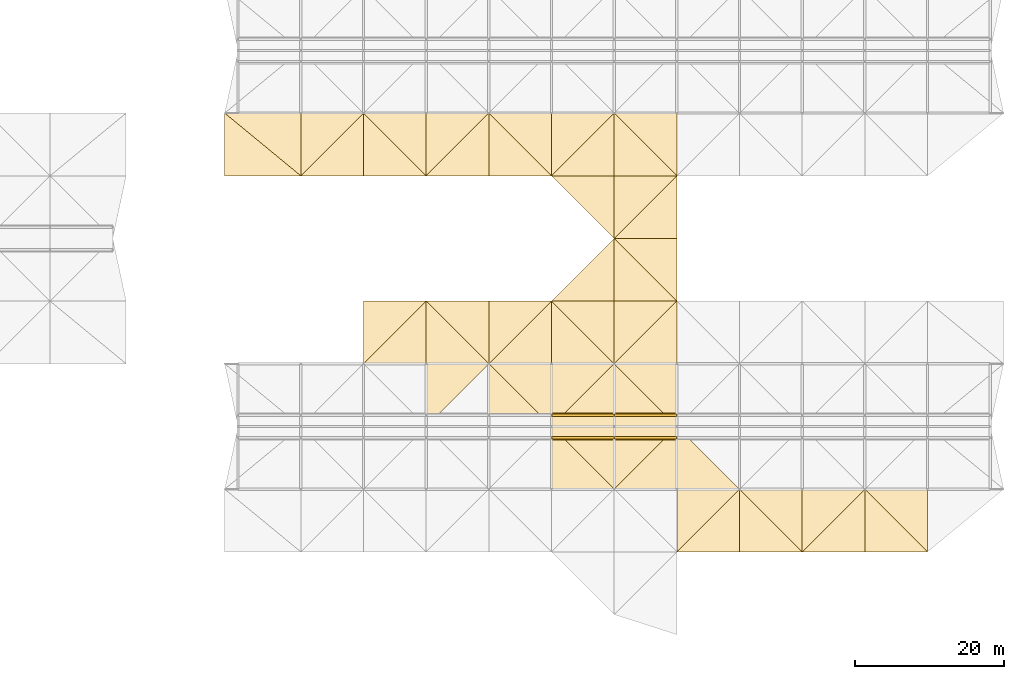
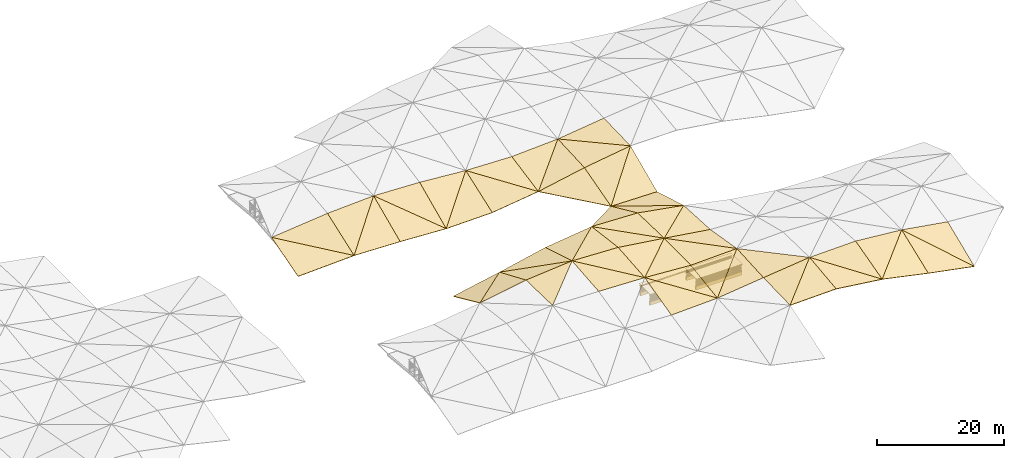
# One storey, part 43 of 46: 56 coverings, 16 shading devices.
"""IFC4 building model written with IfcOpenShell, lengths in metres."""

from ifc_helpers import new_model, si_unit, direction, frame, origin, origin_2d, place, context, subcontext, project, spatial, polyline, rectangle, outline, extrude, material, layer, layer_set, type_object, element, save


model = new_model("IFC4")

# Units and contexts
model_context = context("Model", 3, precision=1e-05, world=origin(), true_north=direction((0.0, 1.0)))
body_context = subcontext(model_context, "Body", "Model", "MODEL_VIEW")
ifc_project = project(units=[si_unit("LENGTHUNIT", "METRE"), si_unit("AREAUNIT", "SQUARE_METRE"), si_unit("VOLUMEUNIT", "CUBIC_METRE"), si_unit("PLANEANGLEUNIT", "RADIAN"), si_unit("MASSUNIT", "GRAM", prefix="KILO")], contexts=[model_context])

# Site, building, storey
site_placement = place(None, origin())
site = spatial("IfcSite", under=ifc_project, at=site_placement, CompositionType="ELEMENT")
building_placement = place(site_placement, origin())
building = spatial("IfcBuilding", under=site, at=building_placement, Name="Rain Tree Exposition and Congress Centre", CompositionType="ELEMENT")
storey_placement = place(building_placement, frame((0.0, 0.0, 27.0)))
storey = spatial("IfcBuildingStorey", under=building, at=storey_placement, Name="ROOF VAULT CREST", CompositionType="ELEMENT", Elevation=27.0)

# Shading devices
ifc_material_1 = material(Name="Aluminium", Category="aluminium")
ifc_layer_1 = layer(ifc_material_1, 0.0400390625)
ifc_layer_set_1 = layer_set([ifc_layer_1], Name="Aluminium")
shading_device_type = type_object("IfcShadingDeviceType", Name="Lantern louvre blade 40", PredefinedType="JALOUSIE", material=ifc_layer_set_1)
for number, where, z_axis, x_axis, name in (
    (1, (189.0, 124.5, 2.14990234375), (0.0, 0.0, 1.0), (1.0, 0.0, 0.0), "Lantern louvre S5.1"),
    (2, (189.0, 124.5, 2.469970703125), (0.0, 0.0, 1.0), (1.0, 0.0, 0.0), "Lantern louvre S5.2"),
    (3, (189.0, 124.5, 2.7900390625), (0.0, 0.0, 1.0), (1.0, 0.0, 0.0), "Lantern louvre S5.3"),
    (4, (189.0, 124.5, 3.10986328125), (0.0, 0.0, 1.0), (1.0, 0.0, 0.0), "Lantern louvre S5.4"),
    (5, (197.39990234375, 124.5, 2.14990234375), (0.0, 0.0, 1.0), (1.0, 0.0, 0.0), "Lantern louvre S6.1"),
    (6, (197.39990234375, 124.5, 2.469970703125), (0.0, 0.0, 1.0), (1.0, 0.0, 0.0), "Lantern louvre S6.2"),
    (7, (197.39990234375, 124.5, 2.7900390625), (0.0, 0.0, 1.0), (1.0, 0.0, 0.0), "Lantern louvre S6.3"),
    (8, (197.39990234375, 124.5, 3.10986328125), (0.0, 0.0, 1.0), (1.0, 0.0, 0.0), "Lantern louvre S6.4"),
    (9, (189.0, 127.5, 2.14990234375), (0.0, 0.0, 1.0), (1.0, 0.0, 0.0), "Lantern louvre N5.1"),
    (10, (189.0, 127.5, 2.469970703125), (0.0, 0.0, 1.0), (1.0, 0.0, 0.0), "Lantern louvre N5.2"),
    (11, (189.0, 127.5, 2.7900390625), (0.0, 0.0, 1.0), (1.0, 0.0, 0.0), "Lantern louvre N5.3"),
    (12, (189.0, 127.5, 3.10986328125), (0.0, 0.0, 1.0), (1.0, 0.0, 0.0), "Lantern louvre N5.4"),
    (13, (197.39990234375, 127.5, 2.14990234375), (0.0, 0.0, 1.0), (1.0, 0.0, 0.0), "Lantern louvre N6.1"),
    (14, (197.39990234375, 127.5, 2.469970703125), (0.0, 0.0, 1.0), (1.0, 0.0, 0.0), "Lantern louvre N6.2"),
    (15, (197.39990234375, 127.5, 2.7900390625), (0.0, 0.0, 1.0), (1.0, 0.0, 0.0), "Lantern louvre N6.3"),
    (16, (197.39990234375, 127.5, 3.10986328125), (0.0, 0.0, 1.0), (1.0, 0.0, 0.0), "Lantern louvre N6.4"),
):
    element("IfcShadingDevice", number, at=place(storey_placement, frame(where, z_axis=z_axis, x_axis=x_axis)), inside=storey, type_object=shading_device_type, Name=name, PredefinedType="JALOUSIE", context=body_context, shape_type="SweptSolid", body=[
        extrude(rectangle(XDim=8.300048828125, YDim=0.300048828125, at=origin_2d()), origin(), (0.0, 0.0, 1.0), 0.0400390625),
    ])

# Coverings
ifc_material_2 = material(Name="Aluminium composite", Category="aluminium")
ifc_layer_2 = layer(ifc_material_2, 0.1201171875)
ifc_layer_set_2 = layer_set([ifc_layer_2], Name="Aluminium composite")
covering_type_1 = type_object("IfcCoveringType", Name="Ridge lantern cap 120", PredefinedType="CLADDING", material=ifc_layer_set_2)
for number, where, z_axis, x_axis, name in (
    (17, (189.0, 126.0, 3.3798828125), (0.0, 0.0, 1.0), (1.0, 0.0, 0.0), "Lantern cap 5"),
    (18, (197.39990234375, 126.0, 3.3798828125), (0.0, 0.0, 1.0), (1.0, 0.0, 0.0), "Lantern cap 6"),
):
    element("IfcCovering", number, at=place(storey_placement, frame(where, z_axis=z_axis, x_axis=x_axis)), inside=storey, type_object=covering_type_1, Name=name, PredefinedType="CLADDING", context=body_context, shape_type="SweptSolid", body=[
        extrude(rectangle(XDim=8.39990234375, YDim=3.60009765625, at=origin_2d()), origin(), (0.0, 0.0, 1.0), 0.1201171875),
    ])
ifc_material_3 = material(Name="Precast concrete C50/60", Category="concrete")
ifc_layer_3 = layer(ifc_material_3, 0.300048828125)
ifc_layer_set_3 = layer_set([ifc_layer_3], Name="Precast concrete C50/60")
covering_type_2 = type_object("IfcCoveringType", Name="Ridge lantern kerb 300", PredefinedType="CLADDING", material=ifc_layer_set_3)
for number, where, z_axis, x_axis, name in (
    (19, (189.0, 124.5, 1.2998046875), (0.0, 0.0, 1.0), (1.0, 0.0, 0.0), "Lantern kerb S5"),
    (20, (197.39990234375, 124.5, 1.2998046875), (0.0, 0.0, 1.0), (1.0, 0.0, 0.0), "Lantern kerb S6"),
    (21, (189.0, 127.5, 1.2998046875), (0.0, 0.0, 1.0), (1.0, 0.0, 0.0), "Lantern kerb N5"),
    (22, (197.39990234375, 127.5, 1.2998046875), (0.0, 0.0, 1.0), (1.0, 0.0, 0.0), "Lantern kerb N6"),
):
    element("IfcCovering", number, at=place(storey_placement, frame(where, z_axis=z_axis, x_axis=x_axis)), inside=storey, type_object=covering_type_2, Name=name, PredefinedType="CLADDING", context=body_context, shape_type="SweptSolid", body=[
        extrude(rectangle(XDim=8.39990234375, YDim=0.300048828125, at=origin_2d()), origin(), (0.0, 0.0, 1.0), 0.699951171875),
    ])
ifc_material_4 = material(Name="Aluminium composite cladding", Category="aluminium")
ifc_layer_4 = layer(ifc_material_4, 0.10009765625)
ifc_layer_set_4 = layer_set([ifc_layer_4], Name="Aluminium composite cladding")
covering_type_3 = type_object("IfcCoveringType", Name="Triangular aluminium roof skin facet 100", PredefinedType="CLADDING", material=ifc_layer_set_4)
covering_1_placement = place(storey_placement, frame((201.60009765625, 109.199951171875, 4.65771484375), z_axis=(-0.025975329394, -0.115153946731, 0.993007981244), x_axis=(0.999658049024, 0.0, 0.026149283384)))
element("IfcCovering", 23, at=covering_1_placement, inside=storey, type_object=covering_type_3, Name="Roof skin facet B39", PredefinedType="CLADDING", context=body_context, shape_type="SweptSolid", body=[
    extrude(outline(polyline([(0.0, 0.0), (8.402775681095195, 3.469446951953614e-18), (8.428248249626327, 8.456401363020728), (0.0, 0.0)])), origin(), (0.0, 0.0, -1.0), 0.10009765625),
])
covering_2_placement = place(storey_placement, frame((201.60009765625, 109.199951171875, 4.65771484375), z_axis=(-0.114471593117, -0.026668854742, 0.993068490365), x_axis=(0.703552610011, 0.703573058555, 0.099993380892)))
element("IfcCovering", 24, at=covering_2_placement, inside=storey, type_object=covering_type_3, Name="Roof skin facet B40", PredefinedType="CLADDING", context=body_context, shape_type="SweptSolid", body=[
    extrude(outline(polyline([(0.0, 0.0), (11.939266835523364, -1.8735013540549517e-15), (5.93267385489505, 5.951195754266544), (0.0, 0.0)])), origin(), (0.0, 0.0, -1.0), 0.10009765625),
])
covering_3_placement = place(storey_placement, frame((210.0, 109.199951171875, 4.87744140625), z_axis=(0.126809698137, -0.114262870395, 0.98532395531), x_axis=(0.991819829114, 0.0, -0.12764570724)))
element("IfcCovering", 25, at=covering_3_placement, inside=storey, type_object=covering_type_3, Name="Roof skin facet B41", PredefinedType="CLADDING", context=body_context, shape_type="SweptSolid", body=[
    extrude(outline(polyline([(0.0, 0.0), (8.46918169730125, 0.0), (-0.1243423759495718, 8.455525521089129), (0.0, 0.0)])), origin(), (0.0, 0.0, -1.0), 0.10009765625),
])
covering_4_placement = place(storey_placement, frame((218.39990234375, 109.199951171875, 3.79638671875), z_axis=(-0.02404300336, -0.260201137637, 0.965255045033), x_axis=(0.0, 0.965534156614, 0.260276376975)))
element("IfcCovering", 26, at=covering_4_placement, inside=storey, type_object=covering_type_3, Name="Roof skin facet B42", PredefinedType="CLADDING", context=body_context, shape_type="SweptSolid", body=[
    extrude(outline(polyline([(0.0, 0.0), (8.69999929762432, 0.0), (8.645542057617483, 8.40233124586851), (0.0, 0.0)])), origin(), (0.0, 0.0, -1.0), 0.10009765625),
])
covering_5_placement = place(storey_placement, frame((218.39990234375, 109.199951171875, 3.79638671875), z_axis=(0.194674549153, -0.356146316693, 0.913926485565), x_axis=(0.978057520285, 0.0, -0.208335035492)))
element("IfcCovering", 27, at=covering_5_placement, inside=storey, type_object=covering_type_3, Name="Roof skin facet B43", PredefinedType="CLADDING", context=body_context, shape_type="SweptSolid", body=[
    extrude(outline(polyline([(0.0, 0.0), (8.588601703021418, 0.0), (7.906629985278309, 8.989592237780444), (0.0, 0.0)])), origin(), (0.0, 0.0, -1.0), 0.10009765625),
])
covering_6_placement = place(storey_placement, frame((218.39990234375, 109.199951171875, 3.79638671875), z_axis=(0.089328065274, -0.259235859017, 0.961674199589), x_axis=(0.701652369449, 0.701652369449, 0.12396735414)))
element("IfcCovering", 28, at=covering_6_placement, inside=storey, type_object=covering_type_3, Name="Roof skin facet B44", PredefinedType="CLADDING", context=body_context, shape_type="SweptSolid", body=[
    extrude(outline(polyline([(0.0, 0.0), (11.971949144799462, -6.661338147750939e-16), (6.174694893868887, 6.128876793205516), (0.0, 0.0)])), origin(), (0.0, 0.0, -1.0), 0.10009765625),
])
covering_7_placement = place(storey_placement, frame((226.800048828125, 109.199951171875, 2.007080078125), z_axis=(0.17718661156, -0.357347930246, 0.917010011632), x_axis=(0.981839566311, 0.0, -0.189713115062)))
element("IfcCovering", 29, at=covering_7_placement, inside=storey, type_object=covering_type_3, Name="Roof skin facet B45", PredefinedType="CLADDING", context=body_context, shape_type="SweptSolid", body=[
    extrude(outline(polyline([(0.0, 0.0), (8.555269752788863, 0.0), (-0.6210140250868058, 8.994008872911422), (0.0, 0.0)])), origin(), (0.0, 0.0, -1.0), 0.10009765625),
])
covering_8_placement = place(storey_placement, frame((235.199951171875, 109.199951171875, 0.384033203125), z_axis=(0.149985360883, -0.381658971883, 0.912053079981), x_axis=(0.0, 0.922488064277, 0.386025609599)))
element("IfcCovering", 30, at=covering_8_placement, inside=storey, type_object=covering_type_3, Name="Roof skin facet B46", PredefinedType="CLADDING", context=body_context, shape_type="SweptSolid", body=[
    extrude(outline(polyline([(0.0, 0.0), (9.105967664694521, 5.551115123125783e-17), (9.6392032357662, 8.496007330370425), (0.0, 0.0)])), origin(), (0.0, 0.0, -1.0), 0.10009765625),
])
covering_9_placement = place(storey_placement, frame((184.800048828125, 117.60009765625, 3.544921875), z_axis=(-0.038256881588, -0.245840579037, 0.968555016873), x_axis=(0.999220829085, 0.0, 0.039468148193)))
element("IfcCovering", 31, at=covering_9_placement, inside=storey, type_object=covering_type_3, Name="Roof skin facet B59", PredefinedType="CLADDING", context=body_context, shape_type="SweptSolid", body=[
    extrude(outline(polyline([(0.0, 0.0), (8.406452406960033, -1.3877787807814457e-17), (0.08414925248270438, 8.66585504998675), (0.0, 0.0)])), origin(), (0.0, 0.0, -1.0), 0.10009765625),
])
covering_10_placement = place(storey_placement, frame((193.199951171875, 117.60009765625, 3.876708984375), z_axis=(0.065124126158, -0.146428872207, 0.98707519145), x_axis=(0.0, 0.989175041018, 0.14674037695)))
element("IfcCovering", 32, at=covering_10_placement, inside=storey, type_object=covering_type_3, Name="Roof skin facet B60", PredefinedType="CLADDING", context=body_context, shape_type="SweptSolid", body=[
    extrude(outline(polyline([(0.0, 0.0), (8.491826012014483, 1.3877787807814457e-17), (8.573149414279461, 8.417771834805448), (0.0, 0.0)])), origin(), (0.0, 0.0, -1.0), 0.10009765625),
])
covering_11_placement = place(storey_placement, frame((193.199951171875, 117.60009765625, 3.876708984375), z_axis=(-0.118757876829, -0.060950514452, 0.991050756258), x_axis=(0.992896760776, 0.0, 0.118979084043)))
element("IfcCovering", 33, at=covering_11_placement, inside=storey, type_object=covering_type_3, Name="Roof skin facet B61", PredefinedType="CLADDING", context=body_context, shape_type="SweptSolid", body=[
    extrude(outline(polyline([(0.0, 0.0), (8.460241604380677, 0.0), (8.521706385102311, 8.415548623806119), (0.0, 0.0)])), origin(), (0.0, 0.0, -1.0), 0.10009765625),
])
covering_12_placement = place(storey_placement, frame((193.199951171875, 117.60009765625, 3.876708984375), z_axis=(-0.03261302782, -0.146662318953, 0.988648853039), x_axis=(0.701375030646, 0.701354645985, 0.12717989991)))
element("IfcCovering", 34, at=covering_12_placement, inside=storey, type_object=covering_type_3, Name="Roof skin facet B62", PredefinedType="CLADDING", context=body_context, shape_type="SweptSolid", body=[
    extrude(outline(polyline([(0.0, 0.0), (11.976683111510404, -1.27675647831893e-15), (6.049788613014227, 5.959124663586859), (0.0, 0.0)])), origin(), (0.0, 0.0, -1.0), 0.10009765625),
])
covering_13_placement = place(storey_placement, frame((201.60009765625, 117.60009765625, 4.88330078125), z_axis=(-0.114299195365, -0.060982626675, 0.991572898572), x_axis=(0.993421827819, 0.0, 0.114512322535)))
element("IfcCovering", 35, at=covering_13_placement, inside=storey, type_object=covering_type_3, Name="Roof skin facet B63", PredefinedType="CLADDING", context=body_context, shape_type="SweptSolid", body=[
    extrude(outline(polyline([(0.0, 0.0), (8.455524238066701, 0.0), (0.059157244746962524, 8.415565161016113), (0.0, 0.0)])), origin(), (0.0, 0.0, -1.0), 0.10009765625),
])
covering_14_placement = place(storey_placement, frame((168.0, 126.0, 6.190673828125), z_axis=(-0.08962717756, 0.023007299374, 0.995709612898), x_axis=(0.706316759569, 0.706316759569, 0.047257489407)))
element("IfcCovering", 36, at=covering_14_placement, inside=storey, type_object=covering_type_3, Name="Roof skin facet B80", PredefinedType="CLADDING", context=body_context, shape_type="SweptSolid", body=[
    extrude(outline(polyline([(0.0, 0.0), (11.892542871105652, 2.0816681711721685e-16), (5.923819513095443, 5.95855631729873), (0.0, 0.0)])), origin(), (0.0, 0.0, -1.0), 0.10009765625),
])
covering_15_placement = place(storey_placement, frame((176.39990234375, 126.0, 5.9609375), z_axis=(0.033633064714, -0.09378778935, 0.995023953243), x_axis=(0.999429226411, 0.0, -0.033781968504)))
element("IfcCovering", 37, at=covering_15_placement, inside=storey, type_object=covering_type_3, Name="Roof skin facet B81", PredefinedType="CLADDING", context=body_context, shape_type="SweptSolid", body=[
    extrude(outline(polyline([(0.0, 0.0), (8.404943804317606, 0.0), (-0.026746807582602058, 8.437091261954636), (0.0, 0.0)])), origin(), (0.0, 0.0, -1.0), 0.10009765625),
])
covering_16_placement = place(storey_placement, frame((184.800048828125, 126.0, 5.677001953125), z_axis=(0.040472737383, -0.086994323467, 0.995386329629), x_axis=(0.0, 0.996202575092, 0.087065661318)))
element("IfcCovering", 38, at=covering_16_placement, inside=storey, type_object=covering_type_3, Name="Roof skin facet B82", PredefinedType="CLADDING", context=body_context, shape_type="SweptSolid", body=[
    extrude(outline(polyline([(0.0, 0.0), (8.431921934127677, -3.469446951953614e-18), (8.461659448820944, 8.40703484645666), (0.0, 0.0)])), origin(), (0.0, 0.0, -1.0), 0.10009765625),
])
covering_17_placement = place(storey_placement, frame((184.800048828125, 126.0, 5.677001953125), z_axis=(0.065827619687, -0.01362950716, 0.997737922012), x_axis=(0.997830606552, 0.0, -0.065833734723)))
element("IfcCovering", 39, at=covering_17_placement, inside=storey, type_object=covering_type_3, Name="Roof skin facet B83", PredefinedType="CLADDING", context=body_context, shape_type="SweptSolid", body=[
    extrude(outline(polyline([(0.0, 0.0), (8.41816465499457, -8.673617379884035e-19), (8.410610491098153, 8.400682649950266), (0.0, 0.0)])), origin(), (0.0, 0.0, -1.0), 0.10009765625),
])
covering_18_placement = place(storey_placement, frame((184.800048828125, 126.0, 5.677001953125), z_axis=(0.137854592888, -0.086234400003, 0.986691309111), x_axis=(0.706623437356, 0.706623437356, -0.036968034274)))
element("IfcCovering", 40, at=covering_18_placement, inside=storey, type_object=covering_type_3, Name="Roof skin facet B84", PredefinedType="CLADDING", context=body_context, shape_type="SweptSolid", body=[
    extrude(outline(polyline([(0.0, 0.0), (11.887381453379284, 1.3877787807814457e-16), (5.908428492824988, 6.01562800116474), (0.0, 0.0)])), origin(), (0.0, 0.0, -1.0), 0.10009765625),
])
covering_19_placement = place(storey_placement, frame((193.199951171875, 126.0, 5.122802734375), z_axis=(-0.032966467672, -0.013651709376, 0.999363218675), x_axis=(0.99945635694, 0.0, 0.032969540068)))
element("IfcCovering", 41, at=covering_19_placement, inside=storey, type_object=covering_type_3, Name="Roof skin facet B85", PredefinedType="CLADDING", context=body_context, shape_type="SweptSolid", body=[
    extrude(outline(polyline([(0.0, 0.0), (8.404715649709598, -4.336808689942018e-19), (0.003783125935561039, 8.40068519458537), (0.0, 0.0)])), origin(), (0.0, 0.0, -1.0), 0.10009765625),
])
covering_20_placement = place(storey_placement, frame((201.60009765625, 126.0, 5.39990234375), z_axis=(0.145381624523, 0.164243191569, 0.975647660416), x_axis=(0.0, 0.986124589995, -0.166006906506)))
element("IfcCovering", 42, at=covering_20_placement, inside=storey, type_object=covering_type_3, Name="Roof skin facet B86", PredefinedType="CLADDING", context=body_context, shape_type="SweptSolid", body=[
    extrude(outline(polyline([(0.0, 0.0), (8.518094395957526, 0.0), (8.310302059615518, 8.49035091650989), (0.0, 0.0)])), origin(), (0.0, 0.0, -1.0), 0.10009765625),
])
covering_21_placement = place(storey_placement, frame((159.60009765625, 134.39990234375, 4.53369140625), z_axis=(-0.158217233004, 0.38681827385, 0.908481662003), x_axis=(0.985171377614, 0.0, 0.171573181848)))
element("IfcCovering", 43, at=covering_21_placement, inside=storey, type_object=covering_type_3, Name="Roof skin facet B101", PredefinedType="CLADDING", context=body_context, shape_type="SweptSolid", body=[
    extrude(outline(polyline([(0.0, 0.0), (8.526336163045041, 0.0), (7.912677199647973, 9.109247033037713), (0.0, 0.0)])), origin(), (0.0, 0.0, -1.0), 0.10009765625),
])
covering_22_placement = place(storey_placement, frame((159.60009765625, 134.39990234375, 4.53369140625), z_axis=(-0.17936055615, 0.404963154048, 0.89656825438), x_axis=(0.696161803773, 0.696182037506, -0.175183656835)))
element("IfcCovering", 44, at=covering_22_placement, inside=storey, type_object=covering_type_3, Name="Roof skin facet B102", PredefinedType="CLADDING", context=body_context, shape_type="SweptSolid", body=[
    extrude(outline(polyline([(0.0, 0.0), (12.066020138170467, 0.0), (6.512711077961006, 6.522494076667808), (0.0, 0.0)])), origin(), (0.0, 0.0, -1.0), 0.10009765625),
])
covering_23_placement = place(storey_placement, frame((168.0, 134.39990234375, 5.99658203125), z_axis=(-0.082536081471, 0.390416031928, 0.916931359082), x_axis=(0.995973249952, 0.0, 0.08965090842)))
element("IfcCovering", 45, at=covering_23_placement, inside=storey, type_object=covering_type_3, Name="Roof skin facet B103", PredefinedType="CLADDING", context=body_context, shape_type="SweptSolid", body=[
    extrude(outline(polyline([(0.0, 0.0), (8.433863403617421, 5.551115123125783e-17), (-0.32065083211764583, 9.124261168781077), (0.0, 0.0)])), origin(), (0.0, 0.0, -1.0), 0.10009765625),
])
covering_24_placement = place(storey_placement, frame((176.39990234375, 134.39990234375, 6.752685546875), z_axis=(-0.205470697135, 0.278461284065, 0.938211653038), x_axis=(0.0, 0.95866646218, -0.284532272845)))
element("IfcCovering", 46, at=covering_24_placement, inside=storey, type_object=covering_type_3, Name="Roof skin facet B104", PredefinedType="CLADDING", context=body_context, shape_type="SweptSolid", body=[
    extrude(outline(polyline([(0.0, 0.0), (8.762324349252268, 0.0), (9.285749807232966, 8.583036286611348), (0.0, 0.0)])), origin(), (0.0, 0.0, -1.0), 0.10009765625),
])
covering_25_placement = place(storey_placement, frame((176.39990234375, 134.39990234375, 6.752685546875), z_axis=(0.040292170143, 0.128076683793, 0.990945459697), x_axis=(0.999174392321, 0.0, -0.040626761265)))
element("IfcCovering", 47, at=covering_25_placement, inside=storey, type_object=covering_type_3, Name="Roof skin facet B105", PredefinedType="CLADDING", context=body_context, shape_type="SweptSolid", body=[
    extrude(outline(polyline([(0.0, 0.0), (8.407087440327757, -6.938893903907228e-18), (8.451195645246447, 8.469902330948539), (0.0, 0.0)])), origin(), (0.0, 0.0, -1.0), 0.10009765625),
])
covering_26_placement = place(storey_placement, frame((176.39990234375, 134.39990234375, 6.752685546875), z_axis=(-0.12075763919, 0.282450071327, 0.951650960061), x_axis=(0.702058095835, 0.702058095835, -0.119284785894)))
element("IfcCovering", 48, at=covering_26_placement, inside=storey, type_object=covering_type_3, Name="Roof skin facet B106", PredefinedType="CLADDING", context=body_context, shape_type="SweptSolid", body=[
    extrude(outline(polyline([(0.0, 0.0), (11.965030435817537, 6.106226635438361e-16), (6.194787386946937, 6.19701034628976), (0.0, 0.0)])), origin(), (0.0, 0.0, -1.0), 0.10009765625),
])
covering_27_placement = place(storey_placement, frame((184.800048828125, 134.39990234375, 6.4111328125), z_axis=(0.137250188837, 0.126967724275, 0.982365300006), x_axis=(0.990380599798, 0.0, -0.138370038459)))
element("IfcCovering", 49, at=covering_27_placement, inside=storey, type_object=covering_type_3, Name="Roof skin facet B107", PredefinedType="CLADDING", context=body_context, shape_type="SweptSolid", body=[
    extrude(outline(polyline([(0.0, 0.0), (8.481489182503168, -2.7755575615628914e-17), (0.1502274318917126, 8.468684829904577), (0.0, 0.0)])), origin(), (0.0, 0.0, -1.0), 0.10009765625),
])
covering_28_placement = place(storey_placement, frame((193.199951171875, 134.39990234375, 5.237548828125), z_axis=(0.036671395387, 0.026217979102, 0.998983396425), x_axis=(0.0, 0.999655786729, -0.026235625757)))
element("IfcCovering", 50, at=covering_28_placement, inside=storey, type_object=covering_type_3, Name="Roof skin facet B108", PredefinedType="CLADDING", context=body_context, shape_type="SweptSolid", body=[
    extrude(outline(polyline([(0.0, 0.0), (8.40303892188709, 0.0), (8.394949176933252, 8.405556104277993), (0.0, 0.0)])), origin(), (0.0, 0.0, -1.0), 0.10009765625),
])
covering_29_placement = place(storey_placement, frame((193.199951171875, 134.39990234375, 5.237548828125), z_axis=(0.147175579263, 0.053048658178, 0.987686786757), x_axis=(0.989079481287, 0.0, -0.147383105198)))
element("IfcCovering", 51, at=covering_29_placement, inside=storey, type_object=covering_type_3, Name="Roof skin facet B109", PredefinedType="CLADDING", context=body_context, shape_type="SweptSolid", body=[
    extrude(outline(polyline([(0.0, 0.0), (8.492893284418614, 0.0), (8.559388396334231, 8.411991168554566), (0.0, 0.0)])), origin(), (0.0, 0.0, -1.0), 0.10009765625),
])
covering_30_placement = place(storey_placement, frame((193.199951171875, 134.39990234375, 5.237548828125), z_axis=(0.173732217196, 0.025836658783, 0.984453952083), x_axis=(0.699952117897, 0.699952117897, -0.141894556989)))
element("IfcCovering", 52, at=covering_30_placement, inside=storey, type_object=covering_type_3, Name="Roof skin facet B110", PredefinedType="CLADDING", context=body_context, shape_type="SweptSolid", body=[
    extrude(outline(polyline([(0.0, 0.0), (12.001030169912125, 3.3306690738754696e-16), (5.910982252304972, 5.972549868831985), (0.0, 0.0)])), origin(), (0.0, 0.0, -1.0), 0.10009765625),
])
covering_31_placement = place(storey_placement, frame((184.800048828125, 142.800048828125, 5.325439453125), z_axis=(0.033412183615, 0.412824327246, 0.910197616356), x_axis=(0.999326915348, 0.0, -0.036684005525)))
element("IfcCovering", 53, at=covering_31_placement, inside=storey, type_object=covering_type_3, Name="Roof skin facet B131", PredefinedType="CLADDING", context=body_context, shape_type="SweptSolid", body=[
    extrude(outline(polyline([(0.0, 0.0), (8.405559997176777, -2.7755575615628914e-17), (8.545319251623463, 9.2224461452791), (0.0, 0.0)])), origin(), (0.0, 0.0, -1.0), 0.10009765625),
])
covering_32_placement = place(storey_placement, frame((193.199951171875, 142.800048828125, 5.01708984375), z_axis=(0.158681201139, 0.407821494461, 0.899167339854), x_axis=(0.984782694396, 0.0, -0.173790232231)))
element("IfcCovering", 54, at=covering_32_placement, inside=storey, type_object=covering_type_3, Name="Roof skin facet B133", PredefinedType="CLADDING", context=body_context, shape_type="SweptSolid", body=[
    extrude(outline(polyline([(0.0, 0.0), (8.529949330121264, 0.0), (0.6621085385654187, 9.19970966036079), (0.0, 0.0)])), origin(), (0.0, 0.0, -1.0), 0.10009765625),
])
covering_33_placement = place(storey_placement, frame((201.60009765625, 142.800048828125, 3.53466796875), z_axis=(0.014810614462, 0.280712535132, 0.959677611659), x_axis=(0.0, 0.959782883684, -0.280743327948)))
element("IfcCovering", 55, at=covering_33_placement, inside=storey, type_object=covering_type_3, Name="Roof skin facet B134", PredefinedType="CLADDING", context=body_context, shape_type="SweptSolid", body=[
    extrude(outline(polyline([(0.0, 0.0), (8.751877624145193, 0.0), (8.715482431972191, 8.401067940100823), (0.0, 0.0)])), origin(), (0.0, 0.0, -1.0), 0.10009765625),
])
covering_34_placement = place(storey_placement, frame((193.199951171875, 151.199951171875, 1.207275390625), z_axis=(-0.18713286627, -0.264689354134, 0.946002556112), x_axis=(0.0, 0.963014582145, 0.269449280155)))
element("IfcCovering", 56, at=covering_34_placement, inside=storey, type_object=covering_type_3, Name="Roof skin facet B156", PredefinedType="CLADDING", context=body_context, shape_type="SweptSolid", body=[
    extrude(outline(polyline([(0.0, 0.0), (8.722761461893548, 5.551115123125783e-17), (8.275038854291484, 8.550958338711146), (0.0, 0.0)])), origin(), (0.0, 0.0, -1.0), 0.10009765625),
])
covering_35_placement = place(storey_placement, frame((193.199951171875, 151.199951171875, 1.207275390625), z_axis=(0.014096039882, -0.406873829139, 0.913375601175), x_axis=(0.999880933973, 0.0, -0.01543106856)))
element("IfcCovering", 57, at=covering_35_placement, inside=storey, type_object=covering_type_3, Name="Roof skin facet B157", PredefinedType="CLADDING", context=body_context, shape_type="SweptSolid", body=[
    extrude(outline(polyline([(0.0, 0.0), (8.401146775542205, -6.938893903907228e-18), (8.343404591016505, 9.195720031832991), (0.0, 0.0)])), origin(), (0.0, 0.0, -1.0), 0.10009765625),
])
covering_36_placement = place(storey_placement, frame((193.199951171875, 151.199951171875, 1.207275390625), z_axis=(-0.143183983836, -0.266672898507, 0.953091764719), x_axis=(0.676521741731, 0.676521741731, 0.29092381465)))
element("IfcCovering", 58, at=covering_36_placement, inside=storey, type_object=covering_type_3, Name="Roof skin facet B158", PredefinedType="CLADDING", context=body_context, shape_type="SweptSolid", body=[
    extrude(outline(polyline([(0.0, 0.0), (12.416668920175404, 6.106226635438361e-16), (6.3666521316829705, 5.962575630986326), (0.0, 0.0)])), origin(), (0.0, 0.0, -1.0), 0.10009765625),
])
covering_37_placement = place(storey_placement, frame((141.0, 159.60009765625, 0.88232421875), z_axis=(-0.041598221946, -0.276255779673, 0.960183488781), x_axis=(0.999062869112, 0.0, 0.043282601142)))
element("IfcCovering", 59, at=covering_37_placement, inside=storey, type_object=covering_type_3, Name="Roof skin facet B169", PredefinedType="CLADDING", context=body_context, shape_type="SweptSolid", body=[
    extrude(outline(polyline([(0.0, 0.0), (10.209518827319085, 0.0), (0.10460314177251127, 8.740027957011476), (0.0, 0.0)])), origin(), (0.0, 0.0, -1.0), 0.10009765625),
])
covering_38_placement = place(storey_placement, frame((151.199951171875, 159.60009765625, 1.32421875), z_axis=(-0.09823789293, -0.339242789994, 0.935555260703), x_axis=(0.0, 0.940102574727, 0.340891696864)))
element("IfcCovering", 60, at=covering_38_placement, inside=storey, type_object=covering_type_3, Name="Roof skin facet B170", PredefinedType="CLADDING", context=body_context, shape_type="SweptSolid", body=[
    extrude(outline(polyline([(0.0, 0.0), (8.935091307653307, 0.0), (8.569980986817853, 10.249528554373994), (0.0, 0.0)])), origin(), (0.0, 0.0, -1.0), 0.10009765625),
])
covering_39_placement = place(storey_placement, frame((151.199951171875, 159.60009765625, 1.32421875), z_axis=(0.028523950245, -0.407068501409, 0.912952145199), x_axis=(0.999512274455, 0.0, -0.03122840396)))
element("IfcCovering", 61, at=covering_39_placement, inside=storey, type_object=covering_type_3, Name="Roof skin facet B171", PredefinedType="CLADDING", context=body_context, shape_type="SweptSolid", body=[
    extrude(outline(polyline([(0.0, 0.0), (8.404245449567513, 0.0), (8.28728379303804, 9.196325942116932), (0.0, 0.0)])), origin(), (0.0, 0.0, -1.0), 0.10009765625),
])
covering_40_placement = place(storey_placement, frame((151.199951171875, 159.60009765625, 1.32421875), z_axis=(-0.048849786232, -0.340484718722, 0.938980220613), x_axis=(0.67855415766, 0.678534436262, 0.281345470782)))
element("IfcCovering", 62, at=covering_40_placement, inside=storey, type_object=covering_type_3, Name="Roof skin facet B172", PredefinedType="CLADDING", context=body_context, shape_type="SweptSolid", body=[
    extrude(outline(polyline([(0.0, 0.0), (12.379478320995752, -8.881784197001252e-16), (6.556572731320295, 6.070190334331273), (0.0, 0.0)])), origin(), (0.0, 0.0, -1.0), 0.10009765625),
])
covering_41_placement = place(storey_placement, frame((159.60009765625, 159.60009765625, 1.061767578125), z_axis=(0.047542224544, -0.406773712622, 0.912291008179), x_axis=(0.998644876954, 0.0, -0.052042384014)))
element("IfcCovering", 63, at=covering_41_placement, inside=storey, type_object=covering_type_3, Name="Roof skin facet B173", PredefinedType="CLADDING", context=body_context, shape_type="SweptSolid", body=[
    extrude(outline(polyline([(0.0, 0.0), (8.41130069116473, 0.0), (-0.19491753250865657, 9.19500397054138), (0.0, 0.0)])), origin(), (0.0, 0.0, -1.0), 0.10009765625),
])
covering_42_placement = place(storey_placement, frame((168.0, 159.60009765625, 0.6240234375), z_axis=(0.036256493798, -0.416197085765, 0.908551293245), x_axis=(0.0, 0.909149043116, 0.41647090823)))
element("IfcCovering", 64, at=covering_42_placement, inside=storey, type_object=covering_type_3, Name="Roof skin facet B174", PredefinedType="CLADDING", context=body_context, shape_type="SweptSolid", body=[
    extrude(outline(polyline([(0.0, 0.0), (9.239301748547277, 2.7755575615628914e-17), (9.378904911877177, 8.405428768702155), (0.0, 0.0)])), origin(), (0.0, 0.0, -1.0), 0.10009765625),
])
covering_43_placement = place(storey_placement, frame((168.0, 159.60009765625, 0.6240234375), z_axis=(-0.017584594427, -0.338154759085, 0.940926214401), x_axis=(0.999825413831, 0.0, 0.018685338054)))
element("IfcCovering", 65, at=covering_43_placement, inside=storey, type_object=covering_type_3, Name="Roof skin facet B175", PredefinedType="CLADDING", context=body_context, shape_type="SweptSolid", body=[
    extrude(outline(polyline([(0.0, 0.0), (8.401369106598906, 0.0), (8.457776383220075, 8.925711398447174), (0.0, 0.0)])), origin(), (0.0, 0.0, -1.0), 0.10009765625),
])
covering_44_placement = place(storey_placement, frame((168.0, 159.60009765625, 0.6240234375), z_axis=(0.072553942063, -0.415373294898, 0.906752971529), x_axis=(0.683116901514, 0.683116901514, 0.258268460585)))
element("IfcCovering", 66, at=covering_44_placement, inside=storey, type_object=covering_type_3, Name="Roof skin facet B176", PredefinedType="CLADDING", context=body_context, shape_type="SweptSolid", body=[
    extrude(outline(polyline([(0.0, 0.0), (12.296434658750686, 2.220446049250313e-16), (6.731906572450455, 6.3282012215563395), (0.0, 0.0)])), origin(), (0.0, 0.0, -1.0), 0.10009765625),
])
covering_45_placement = place(storey_placement, frame((176.39990234375, 159.60009765625, 0.781005859375), z_axis=(-0.12394953359, -0.335598977107, 0.933814670953), x_axis=(0.99130548153, 0.0, 0.131580554368)))
element("IfcCovering", 67, at=covering_45_placement, inside=storey, type_object=covering_type_3, Name="Roof skin facet B177", PredefinedType="CLADDING", context=body_context, shape_type="SweptSolid", body=[
    extrude(outline(polyline([(0.0, 0.0), (8.473822288773189, 5.551115123125783e-17), (0.39721522333097886, 8.91704692236055), (0.0, 0.0)])), origin(), (0.0, 0.0, -1.0), 0.10009765625),
])
covering_46_placement = place(storey_placement, frame((184.800048828125, 159.60009765625, 1.89599609375), z_axis=(0.02976122022, -0.192541306116, 0.98083745606), x_axis=(0.0, 0.981272123522, 0.19262663263)))
element("IfcCovering", 68, at=covering_46_placement, inside=storey, type_object=covering_type_3, Name="Roof skin facet B178", PredefinedType="CLADDING", context=body_context, shape_type="SweptSolid", body=[
    extrude(outline(polyline([(0.0, 0.0), (8.560217030929046, 6.938893903907228e-18), (8.60931424881619, 8.403869089310074), (0.0, 0.0)])), origin(), (0.0, 0.0, -1.0), 0.10009765625),
])
covering_47_placement = place(storey_placement, frame((184.800048828125, 159.60009765625, 1.89599609375), z_axis=(-0.193797006401, -0.051453304521, 0.979691419664), x_axis=(0.98099083871, 0.0, 0.194054050115)))
element("IfcCovering", 69, at=covering_47_placement, inside=storey, type_object=covering_type_3, Name="Roof skin facet B179", PredefinedType="CLADDING", context=body_context, shape_type="SweptSolid", body=[
    extrude(outline(polyline([(0.0, 0.0), (8.562671548280461, 1.3877787807814457e-17), (8.648280842362045, 8.411043599937633), (0.0, 0.0)])), origin(), (0.0, 0.0, -1.0), 0.10009765625),
])
covering_48_placement = place(storey_placement, frame((184.800048828125, 159.60009765625, 1.89599609375), z_axis=(-0.052945019142, -0.192356460076, 0.979895819572), x_axis=(0.696282396055, 0.696282396055, 0.174303327246)))
element("IfcCovering", 70, at=covering_48_placement, inside=storey, type_object=covering_type_3, Name="Roof skin facet B180", PredefinedType="CLADDING", context=body_context, shape_type="SweptSolid", body=[
    extrude(outline(polyline([(0.0, 0.0), (12.063930369842913, -2.7755575615628914e-16), (6.136117380584064, 5.968699951270951), (0.0, 0.0)])), origin(), (0.0, 0.0, -1.0), 0.10009765625),
])
covering_49_placement = place(storey_placement, frame((193.199951171875, 159.60009765625, 3.5576171875), z_axis=(-0.1483639465, -0.051867178059, 0.987571736746), x_axis=(0.988902807785, 0.0, 0.14856391471)))
element("IfcCovering", 71, at=covering_49_placement, inside=storey, type_object=covering_type_3, Name="Roof skin facet B181", PredefinedType="CLADDING", context=body_context, shape_type="SweptSolid", body=[
    extrude(outline(polyline([(0.0, 0.0), (8.494410591457909, 0.0), (0.06554076999067514, 8.411223918001113), (0.0, 0.0)])), origin(), (0.0, 0.0, -1.0), 0.10009765625),
])
covering_50_placement = place(storey_placement, frame((201.60009765625, 159.60009765625, 4.819580078125), z_axis=(-0.127243032929, -0.030370936298, 0.991406484142), x_axis=(0.0, 0.999531103152, 0.030619827435)))
element("IfcCovering", 72, at=covering_50_placement, inside=storey, type_object=covering_type_3, Name="Roof skin facet B182", PredefinedType="CLADDING", context=body_context, shape_type="SweptSolid", body=[
    extrude(outline(polyline([(0.0, 0.0), (8.403842879188783, -6.938893903907228e-18), (8.370830877735632, 8.468986048066366), (0.0, 0.0)])), origin(), (0.0, 0.0, -1.0), 0.10009765625),
])

save(model, "model.ifc")
